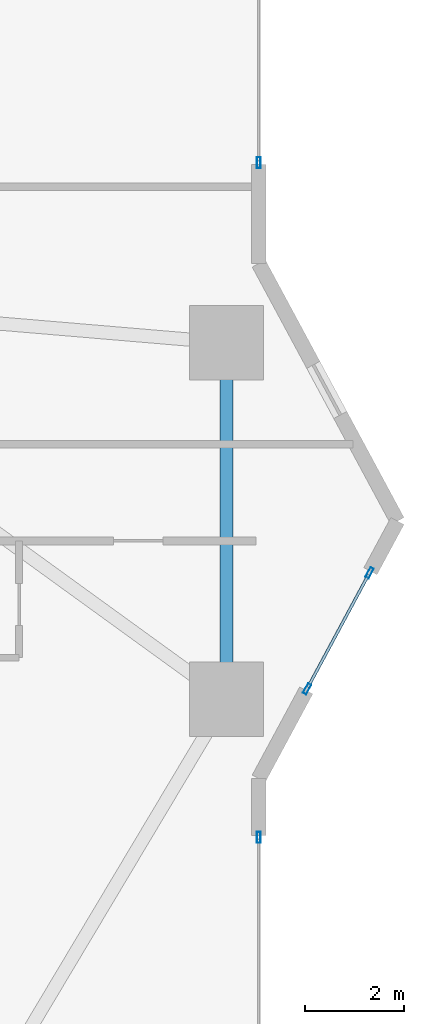
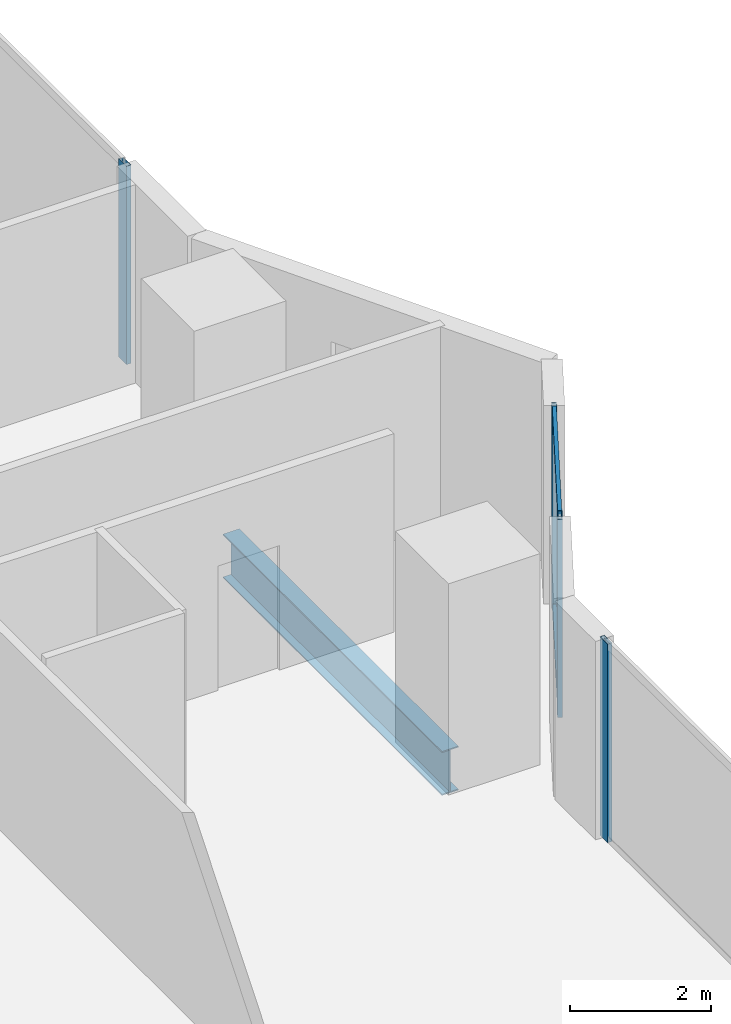
# One storey, part 12 of 29: 6 members, 1 beam, 3 elements without a shape of their own.
"""IFC4 building model written with IfcOpenShell, lengths in metres."""

from ifc_helpers import new_model, si_unit, direction, frame, origin, origin_2d, place, context, subcontext, project, spatial, hollow_rectangle, i_section, extrude, material, layer, layer_set, material_profile, profile_set, type_object, element, aggregate, save


model = new_model("IFC4")

# Units and contexts
model_context = context("Model", 3, precision=1e-05, world=origin(), true_north=direction((0.0, 1.0)))
body_context = subcontext(model_context, "Body", "Model", "MODEL_VIEW")
ifc_project = project(units=[si_unit("LENGTHUNIT", "METRE"), si_unit("AREAUNIT", "SQUARE_METRE"), si_unit("VOLUMEUNIT", "CUBIC_METRE"), si_unit("PLANEANGLEUNIT", "RADIAN"), si_unit("MASSUNIT", "GRAM", prefix="KILO")], contexts=[model_context])

# Site, building, storey
site_placement = place(None, origin())
site = spatial("IfcSite", under=ifc_project, at=site_placement, CompositionType="ELEMENT")
building_placement = place(site_placement, origin())
building = spatial("IfcBuilding", under=site, at=building_placement, Name="Zuhayl Quay Hotel", CompositionType="ELEMENT")
storey_placement = place(building_placement, frame((0.0, 0.0, 45.85009765625)))
storey = spatial("IfcBuildingStorey", under=building, at=storey_placement, Name="L10", CompositionType="ELEMENT", Elevation=45.85009765625)

# Beam
ifc_material_1 = material(Name="Steel ASTM A992 Grade 50", Category="steel")
ifc_material_profile_1 = material_profile(ifc_material_1, i_section(OverallWidth=0.26708984375, OverallDepth=0.761962890625, WebThickness=0.014404296875, FlangeThickness=0.021484375, at=origin_2d()), Name="W30X116")
ifc_profile_set_1 = profile_set([ifc_material_profile_1], Name="Steel ASTM A992 Grade 50")
beam_type = type_object("IfcBeamType", Name="BM_B1_W30X116", PredefinedType="BEAM", material=ifc_profile_set_1)
beam_placement = place(storey_placement, frame((25.050048828125, -3.10009765625, -0.60107421875), z_axis=(0.0, 1.0, 0.0), x_axis=(-1.0, 0.0, 0.0)))
element("IfcBeam", 1, at=beam_placement, inside=storey, type_object=beam_type, Name="L10 Floor Beam RG_L10_05", PredefinedType="BEAM", context=body_context, shape_type="SweptSolid", body=[
    extrude(i_section(OverallWidth=0.26708984375, OverallDepth=0.761962890625, WebThickness=0.014404296875, FlangeThickness=0.021484375, at=origin_2d()), origin(), (0.0, 0.0, 1.0), 6.2001953125),
])

# Curtain wall, member
ifc_material_2 = material(Name="Anodised Aluminium 6063-T6", Category="aluminium")
ifc_layer = layer(ifc_material_2, 0.18994140625, Name="Anodised Aluminium 6063-T6", Category="aluminium")
ifc_layer_set = layer_set([ifc_layer], Name="Anodised Aluminium 6063-T6")
curtain_wall_type = type_object("IfcCurtainWallType", Name="CW_SYS_Z1", PredefinedType="USERDEFINED", material=ifc_layer_set)
curtain_wall_1_placement = place(storey_placement, origin())
curtain_wall_1 = element("IfcCurtainWall", 2, at=curtain_wall_1_placement, inside=storey, type_object=curtain_wall_type, Name="L10 Curtain Wall ENV_L10_E11_CW1", ObjectType="UNITISED CURTAIN WALL", PredefinedType="USERDEFINED")
ifc_material_3 = material(Name="Black-anodised aluminium 6063-T6", Category="aluminium")
ifc_material_profile_2 = material_profile(ifc_material_3, hollow_rectangle(XDim=0.074951171875, YDim=0.219970703125, WallThickness=0.00390625, at=origin_2d()), Name="ALU220X75")
ifc_profile_set_2 = profile_set([ifc_material_profile_2], Name="Black-anodised aluminium 6063-T6")
member_type_1 = type_object("IfcMemberType", Name="MB_CW_MUL_220", PredefinedType="MULLION", material=ifc_profile_set_2)
member_1_placement = place(storey_placement, frame((25.699951171875, 7.237548828125, 0.0), z_axis=(0.0, 0.0, 1.0), x_axis=(1.0, 0.0, 0.0)))
member_1 = element("IfcMember", 3, at=member_1_placement, type_object=member_type_1, Name="CW-Z1 mullion 2", PredefinedType="MULLION", context=body_context, shape_type="SweptSolid", body=[
    extrude(hollow_rectangle(XDim=0.074951171875, YDim=0.219970703125, WallThickness=0.00390625, at=origin_2d()), origin(), (0.0, 0.0, 1.0), 3.429931640625),
])
aggregate(curtain_wall_1, [member_1])

# Curtain wall, members
curtain_wall_2_placement = place(storey_placement, origin())
curtain_wall_2 = element("IfcCurtainWall", 4, at=curtain_wall_2_placement, inside=storey, type_object=curtain_wall_type, Name="L10 Curtain Wall ENV_L10_E13_CW1", ObjectType="UNITISED CURTAIN WALL", PredefinedType="USERDEFINED")
member_2_placement = place(storey_placement, frame((27.93701171875, -1.04541015625, 0.0), z_axis=(0.0, 0.0, 1.0), x_axis=(0.880475795468, -0.474091102632, 0.0)))
member_2 = element("IfcMember", 5, at=member_2_placement, type_object=member_type_1, Name="CW-Z1 mullion 1", PredefinedType="MULLION", context=body_context, shape_type="SweptSolid", body=[
    extrude(hollow_rectangle(XDim=0.074951171875, YDim=0.219970703125, WallThickness=0.00390625, at=origin_2d()), origin(), (0.0, 0.0, 1.0), 3.429931640625),
])
member_3_placement = place(storey_placement, frame((26.67578125, -3.387939453125, 0.0), z_axis=(0.0, 0.0, 1.0), x_axis=(0.880475795468, -0.474091102632, 0.0)))
member_3 = element("IfcMember", 6, at=member_3_placement, type_object=member_type_1, Name="CW-Z1 mullion 2", PredefinedType="MULLION", context=body_context, shape_type="SweptSolid", body=[
    extrude(hollow_rectangle(XDim=0.074951171875, YDim=0.219970703125, WallThickness=0.00390625, at=origin_2d()), origin(), (0.0, 0.0, 1.0), 3.429931640625),
])

# Curtain wall, member
curtain_wall_3_placement = place(storey_placement, origin())
curtain_wall_3 = element("IfcCurtainWall", 7, at=curtain_wall_3_placement, inside=storey, type_object=curtain_wall_type, Name="L10 Curtain Wall ENV_L10_E14_CW1", ObjectType="UNITISED CURTAIN WALL", PredefinedType="USERDEFINED")
member_4_placement = place(storey_placement, frame((25.699951171875, -6.387451171875, 0.0), z_axis=(0.0, 0.0, 1.0), x_axis=(1.0, 0.0, 0.0)))
member_4 = element("IfcMember", 8, at=member_4_placement, type_object=member_type_1, Name="CW-Z1 mullion 1", PredefinedType="MULLION", context=body_context, shape_type="SweptSolid", body=[
    extrude(hollow_rectangle(XDim=0.074951171875, YDim=0.219970703125, WallThickness=0.00390625, at=origin_2d()), origin(), (0.0, 0.0, 1.0), 3.429931640625),
])
aggregate(curtain_wall_3, [member_4])

# Member
ifc_material_profile_3 = material_profile(ifc_material_3, hollow_rectangle(XDim=0.06005859375, YDim=0.14990234375, WallThickness=0.00341796875, at=origin_2d()), Name="ALU150X60")
ifc_profile_set_3 = profile_set([ifc_material_profile_3], Name="Black-anodised aluminium 6063-T6")
member_type_2 = type_object("IfcMemberType", Name="MB_CW_TRN_150", PredefinedType="USERDEFINED", material=ifc_profile_set_3)
member_5_placement = place(storey_placement, frame((27.919189453125, -1.07861328125, 0.02978515625), z_axis=(-0.474054771703, -0.880495356845, 0.0), x_axis=(0.880495356845, -0.474054771703, 0.0)))
member_5 = element("IfcMember", 9, at=member_5_placement, type_object=member_type_2, Name="CW-Z1 transom 1.1", ObjectType="TRANSOM", PredefinedType="USERDEFINED", context=body_context, shape_type="SweptSolid", body=[
    extrude(hollow_rectangle(XDim=0.06005859375, YDim=0.14990234375, WallThickness=0.00341796875, at=origin_2d()), origin(), (0.0, 0.0, 1.0), 2.585205078125),
])

member_6_placement = place(storey_placement, frame((27.919189453125, -1.07861328125, 3.39990234375), z_axis=(-0.474054771703, -0.880495356845, 0.0), x_axis=(0.880495356845, -0.474054771703, 0.0)))
member_6 = element("IfcMember", 10, at=member_6_placement, type_object=member_type_2, Name="CW-Z1 transom 1.2", ObjectType="TRANSOM", PredefinedType="USERDEFINED", context=body_context, shape_type="SweptSolid", body=[
    extrude(hollow_rectangle(XDim=0.06005859375, YDim=0.14990234375, WallThickness=0.00341796875, at=origin_2d()), origin(), (0.0, 0.0, 1.0), 2.585205078125),
])

aggregate(curtain_wall_2, [member_2, member_3, member_5, member_6])

save(model, "model.ifc")
